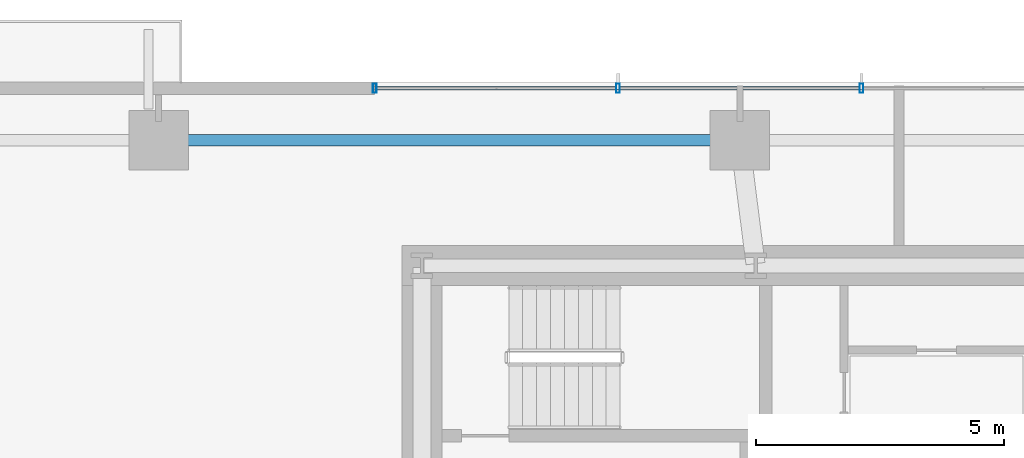
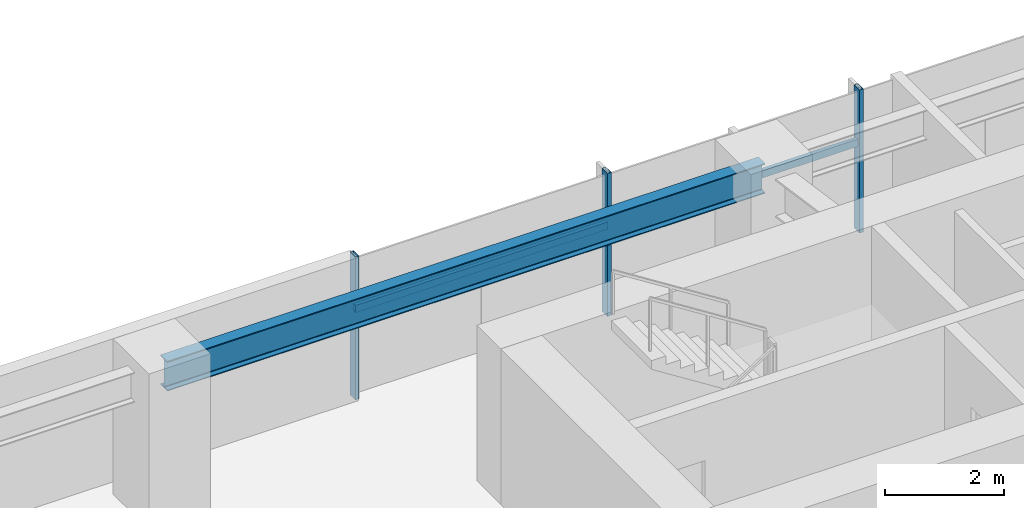
# One storey, part 10 of 25: 5 members, 1 beam, 1 element without a shape of its own.
"""IFC4 building model written with IfcOpenShell, lengths in metres."""

from ifc_helpers import new_model, si_unit, direction, frame, origin, origin_2d, place, context, subcontext, project, spatial, hollow_rectangle, i_section, extrude, source, transform, mapped, material, material_profile, profile_set, type_object, type_shapes, element, aggregate, save


model = new_model("IFC4")

# Units and contexts
model_context = context("Model", 3, precision=1e-05, world=origin(), true_north=direction((0.0, 1.0)))
body_context = subcontext(model_context, "Body", "Model", "MODEL_VIEW")
ifc_project = project(units=[si_unit("LENGTHUNIT", "METRE"), si_unit("AREAUNIT", "SQUARE_METRE"), si_unit("VOLUMEUNIT", "CUBIC_METRE"), si_unit("PLANEANGLEUNIT", "RADIAN"), si_unit("MASSUNIT", "GRAM", prefix="KILO")], contexts=[model_context])

# Site, building, storey
site_placement = place(None, origin())
site = spatial("IfcSite", under=ifc_project, at=site_placement, CompositionType="ELEMENT")
building_placement = place(site_placement, origin())
building = spatial("IfcBuilding", under=site, at=building_placement, Name="Astriad Promenade Condominiums", CompositionType="ELEMENT")
storey_placement = place(building_placement, frame((0.0, 0.0, 48.60009765625)))
storey = spatial("IfcBuildingStorey", under=building, at=storey_placement, Name="L13", CompositionType="ELEMENT", Elevation=48.60009765625)

# Beam
ifc_material_1 = material(Name="Steel ASTM A992 Grade 50", Category="steel")
ifc_material_profile_1 = material_profile(ifc_material_1, i_section(OverallWidth=0.22900390625, OverallDepth=0.612060546875, WebThickness=0.011962890625, FlangeThickness=0.01953125, FilletRadius=0.017822265625, at=origin_2d()), Name="W24X84")
ifc_profile_set_1 = profile_set([ifc_material_profile_1], Name="Steel ASTM A992 Grade 50")
beam_type = type_object("IfcBeamType", Name="STEEL SPANDREL BEAM W24X84", PredefinedType="SPANDREL", material=ifc_profile_set_1)
shared_shape_1 = source(origin(), body_context, "Body", "SweptSolid", [
    extrude(i_section(OverallWidth=0.22900390625, OverallDepth=0.612060546875, WebThickness=0.011962890625, FlangeThickness=0.01953125, FilletRadius=0.017822265625, at=origin_2d()), origin(), (0.0, 0.0, 1.0), 11.6201171875),
])
type_shapes(beam_type, [shared_shape_1])
beam_placement = place(storey_placement, frame((32.760009765625, 26.52001953125, 2.6337890625), z_axis=(-1.0, 0.0, 0.0), x_axis=(0.0, -1.0, 0.0)))
element("IfcBeam", 1, at=beam_placement, inside=storey, type_object=beam_type, Name="Perimeter Spandrel Beam SP-N2-L13", PredefinedType="SPANDREL", context=body_context, shape_type="MappedRepresentation", body=[
    mapped(shared_shape_1, transform((0.0, 0.0, 0.0), scale=1.0)),
])

# Curtain wall, members
ifc_material_2 = material(Name="Anodised aluminium Black Dark Glass Unitised", Category="aluminium")
curtain_wall_type = type_object("IfcCurtainWallType", Name="CW-B1-DARK", PredefinedType="USERDEFINED", material=ifc_material_2)
curtain_wall_placement = place(storey_placement, origin())
curtain_wall = element("IfcCurtainWall", 2, at=curtain_wall_placement, inside=storey, type_object=curtain_wall_type, Name="CW-L13-N", ObjectType="UNITISED_CURTAIN_WALL", PredefinedType="USERDEFINED")
ifc_material_3 = material(Name="Anodised aluminium 6063-T6 Black", Category="aluminium")
ifc_material_profile_2 = material_profile(ifc_material_3, hollow_rectangle(XDim=0.074951171875, YDim=0.18505859375, WallThickness=0.00439453125, at=origin_2d()), Name="ALU-MUL-75X185")
ifc_profile_set_2 = profile_set([ifc_material_profile_2], Name="Anodised aluminium 6063-T6 Black")
member_type_1 = type_object("IfcMemberType", Name="MUL-ALU-MUL-75X185", PredefinedType="MULLION", material=ifc_profile_set_2)
shared_shape_2 = source(origin(), body_context, "Body", "SweptSolid", [
    extrude(hollow_rectangle(XDim=0.074951171875, YDim=0.18505859375, WallThickness=0.00439453125, at=origin_2d()), origin(), (0.0, 0.0, 1.0), 2.93994140625),
])
type_shapes(member_type_1, [shared_shape_2])
member_1_placement = place(storey_placement, frame((25.449951171875, 27.570068359375, 0.0), z_axis=(0.0, 0.0, 1.0), x_axis=(1.0, 0.0, 0.0)))
member_1 = element("IfcMember", 3, at=member_1_placement, type_object=member_type_1, Name="CW-L13-N-MUL-00", PredefinedType="MULLION", context=body_context, shape_type="MappedRepresentation", body=[
    mapped(shared_shape_2, transform((0.0, 0.0, 0.0), scale=1.0)),
])
member_2_placement = place(storey_placement, frame((30.35009765625, 27.570068359375, 0.0), z_axis=(0.0, 0.0, 1.0), x_axis=(1.0, 0.0, 0.0)))
member_2 = element("IfcMember", 4, at=member_2_placement, type_object=member_type_1, Name="CW-L13-N-MUL-01", PredefinedType="MULLION", context=body_context, shape_type="MappedRepresentation", body=[
    mapped(shared_shape_2, transform((0.0, 0.0, 0.0), scale=1.0)),
])
member_3_placement = place(storey_placement, frame((35.25, 27.570068359375, 0.0), z_axis=(0.0, 0.0, 1.0), x_axis=(1.0, 0.0, 0.0)))
member_3 = element("IfcMember", 5, at=member_3_placement, type_object=member_type_1, Name="CW-L13-N-MUL-02", PredefinedType="MULLION", context=body_context, shape_type="MappedRepresentation", body=[
    mapped(shared_shape_2, transform((0.0, 0.0, 0.0), scale=1.0)),
])
ifc_material_profile_3 = material_profile(ifc_material_3, hollow_rectangle(XDim=0.074951171875, YDim=0.14990234375, WallThickness=0.004150390625, at=origin_2d()), Name="ALU-TRN-75X150")
ifc_profile_set_3 = profile_set([ifc_material_profile_3], Name="Anodised aluminium 6063-T6 Black")
member_type_2 = type_object("IfcMemberType", Name="TRN-ALU-TRN-75X150", PredefinedType="USERDEFINED", material=ifc_profile_set_3)
shared_shape_3 = source(origin(), body_context, "Body", "SweptSolid", [
    extrude(hollow_rectangle(XDim=0.074951171875, YDim=0.14990234375, WallThickness=0.004150390625, at=origin_2d()), origin(), (0.0, 0.0, 1.0), 4.900146484375),
])
member_4_placement = place(storey_placement, frame((25.449951171875, 27.570068359375, 1.82275390625), z_axis=(1.0, 0.0, 0.0), x_axis=(0.0, 1.0, 0.0)))
member_4 = element("IfcMember", 6, at=member_4_placement, type_object=member_type_2, Name="CW-L13-N-TRN-00-0", ObjectType="TRANSOM", PredefinedType="USERDEFINED", context=body_context, shape_type="MappedRepresentation", body=[
    mapped(shared_shape_3, transform((0.0, 0.0, 0.0), scale=1.0)),
])
shared_shape_4 = source(origin(), body_context, "Body", "SweptSolid", [
    extrude(hollow_rectangle(XDim=0.074951171875, YDim=0.14990234375, WallThickness=0.004150390625, at=origin_2d()), origin(), (0.0, 0.0, 1.0), 4.89990234375),
])
type_shapes(member_type_2, [shared_shape_3, shared_shape_4])
member_5_placement = place(storey_placement, frame((30.35009765625, 27.570068359375, 1.82275390625), z_axis=(1.0, 0.0, 0.0), x_axis=(0.0, 1.0, 0.0)))
member_5 = element("IfcMember", 7, at=member_5_placement, type_object=member_type_2, Name="CW-L13-N-TRN-01-0", ObjectType="TRANSOM", PredefinedType="USERDEFINED", context=body_context, shape_type="MappedRepresentation", body=[
    mapped(shared_shape_4, transform((0.0, 0.0, 0.0), scale=1.0)),
])
aggregate(curtain_wall, [member_1, member_2, member_3, member_4, member_5])

save(model, "model.ifc")
